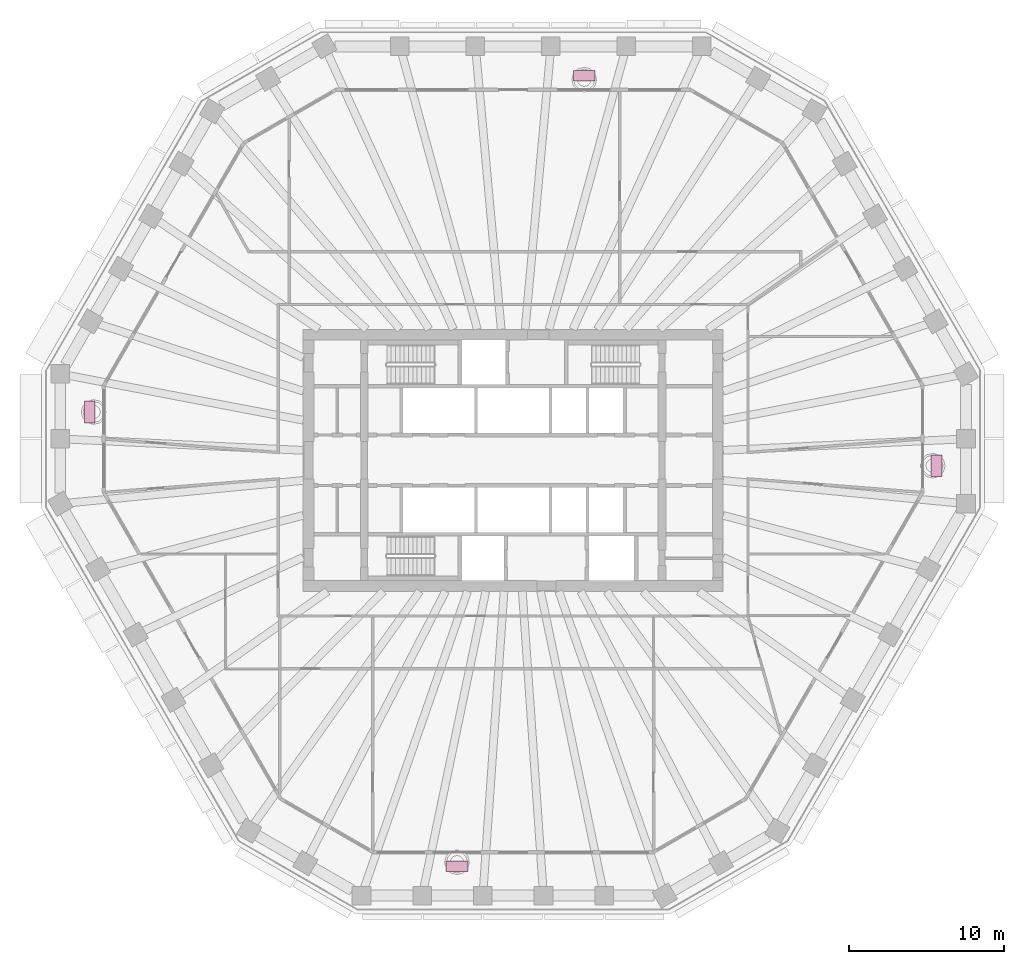
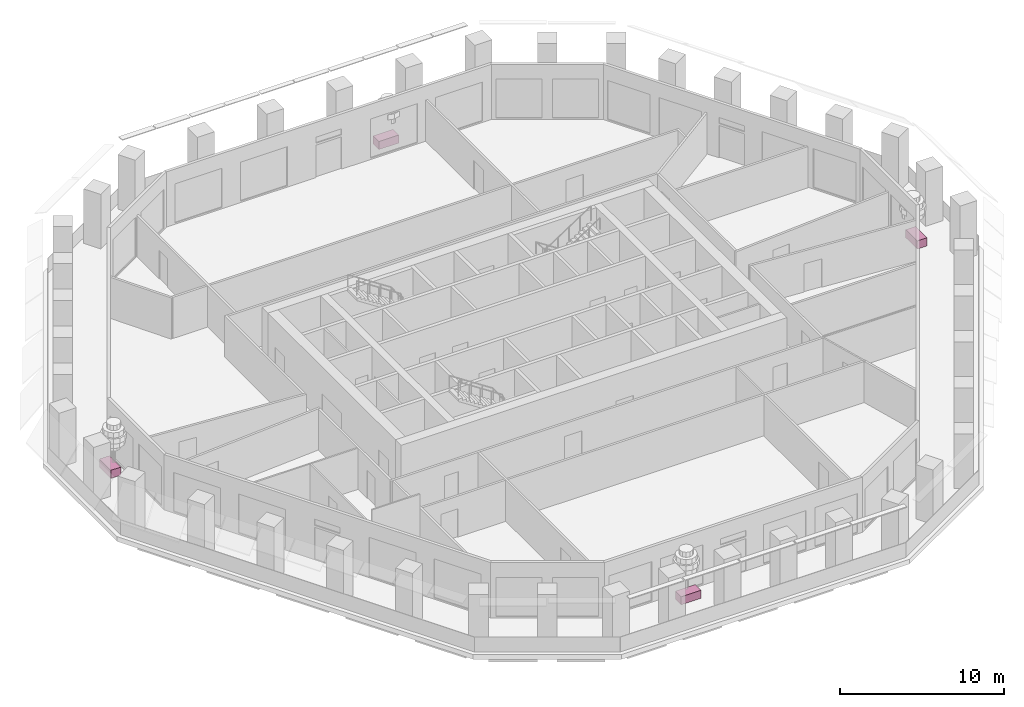
# One storey, part 11 of 12: 4 furniture elements.
"""IFC4 building model written with IfcOpenShell, lengths in metres."""

from ifc_helpers import new_model, si_unit, direction, frame, origin, origin_2d, place, context, subcontext, project, spatial, rectangle, extrude, material, type_object, element, save


model = new_model("IFC4")

# Units and contexts
model_context = context("Model", 3, precision=1e-05, world=origin(), true_north=direction((0.0, 1.0)))
body_context = subcontext(model_context, "Body", "Model", "MODEL_VIEW")
ifc_project = project(units=[si_unit("LENGTHUNIT", "METRE"), si_unit("AREAUNIT", "SQUARE_METRE"), si_unit("VOLUMEUNIT", "CUBIC_METRE"), si_unit("PLANEANGLEUNIT", "RADIAN"), si_unit("MASSUNIT", "GRAM", prefix="KILO")], contexts=[model_context])

# Site, building, storey
site_placement = place(None, origin())
site = spatial("IfcSite", under=ifc_project, at=site_placement, CompositionType="ELEMENT")
building_placement = place(site_placement, origin())
building = spatial("IfcBuilding", under=site, at=building_placement, Name="Frailejon Research Tower", CompositionType="ELEMENT")
storey_placement = place(building_placement, frame((0.0, 0.0, 193.60009765625)))
storey = spatial("IfcBuildingStorey", under=building, at=storey_placement, Name="L42", CompositionType="ELEMENT", Elevation=193.60009765625)

# Furniture
ifc_material = material(Name="Precast concrete C30/37 planter, terracotta", Category="masonry")
furniture_type = type_object("IfcFurnitureType", Name="Loggia planter 1400x700", AssemblyPlace="NOTDEFINED", PredefinedType="USERDEFINED", material=ifc_material)
for number, where, z_axis, x_axis, name in (
    (1, (27.31103515625, -0.349365234375, -0.000244140625), (0.0, 0.0, 1.0), (0.0, 1.0, 0.0), "Planter L42"),
    (2, (4.581298828125, 24.800048828125, -0.000244140625), (0.0, 0.0, 1.0), (-1.0, 0.0, 0.0), "Planter L42"),
    (3, (-27.31103515625, 3.11474609375, -0.000244140625), (0.0, 0.0, 1.0), (0.0, -1.0, 0.0), "Planter L42"),
    (4, (-3.623291015625, -26.182861328125, -0.000244140625), (0.0, 0.0, 1.0), (1.0, 0.0, 0.0), "Planter L42"),
):
    element("IfcFurniture", number, at=place(storey_placement, frame(where, z_axis=z_axis, x_axis=x_axis)), inside=storey, type_object=furniture_type, Name=name, ObjectType="PLANTER", PredefinedType="USERDEFINED", context=body_context, shape_type="SweptSolid", body=[
        extrude(rectangle(XDim=1.39990234375, YDim=0.699951171875, at=origin_2d()), origin(), (0.0, 0.0, 1.0), 0.60009765625),
    ])

save(model, "model.ifc")
